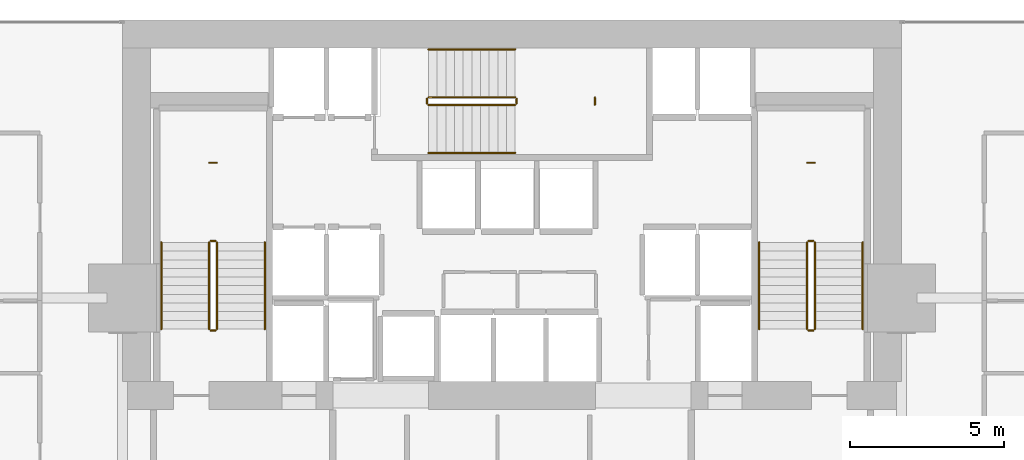
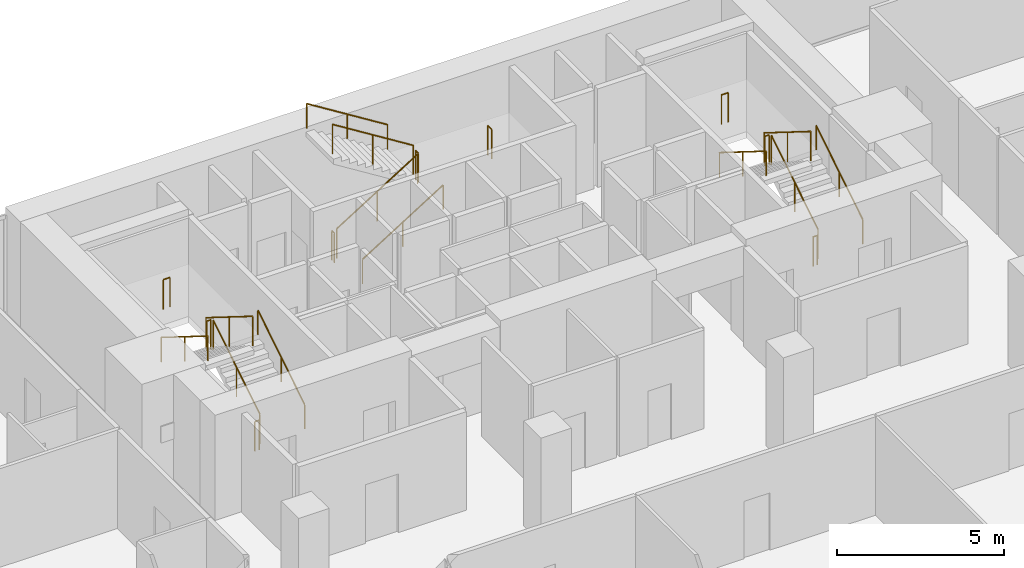
# One storey, part 40 of 40: 21 railings.
"""IFC4 building model written with IfcOpenShell, lengths in metres."""

from ifc_helpers import new_model, si_unit, direction, frame, origin, origin_2d, place, context, subcontext, project, spatial, circle, extrude, material, type_object, element, save


model = new_model("IFC4")

# Units and contexts
model_context = context("Model", 3, precision=1e-05, world=origin(), true_north=direction((0.0, 1.0)))
body_context = subcontext(model_context, "Body", "Model", "MODEL_VIEW")
ifc_project = project(units=[si_unit("LENGTHUNIT", "METRE"), si_unit("AREAUNIT", "SQUARE_METRE"), si_unit("VOLUMEUNIT", "CUBIC_METRE"), si_unit("PLANEANGLEUNIT", "RADIAN"), si_unit("MASSUNIT", "GRAM", prefix="KILO")], contexts=[model_context])

# Site, building, storey
site_placement = place(None, origin())
site = spatial("IfcSite", under=ifc_project, at=site_placement, CompositionType="ELEMENT")
building_placement = place(site_placement, origin())
building = spatial("IfcBuilding", under=site, at=building_placement, Name="Maruvema Waterfront Hotel and Observation Tower", CompositionType="ELEMENT")
storey_placement = place(building_placement, frame((0.0, 0.0, 96.25)))
storey = spatial("IfcBuildingStorey", under=building, at=storey_placement, Name="L23", CompositionType="ELEMENT", Elevation=96.25)

# Railings
ifc_material_1 = material(Name="Brushed stainless steel Grade 316", Category="steel")
railing_type_1 = type_object("IfcRailingType", Name="Ramp Continuous Wall Handrail 920 mm", PredefinedType="HANDRAIL", material=ifc_material_1)
railing_1_placement = place(storey_placement, frame((29.800048828125, 44.0, 0.175048828125)))
element("IfcRailing", 1, at=railing_1_placement, inside=storey, type_object=railing_type_1, Name="L23 ST-01 stair handrail 1", PredefinedType="HANDRAIL", context=body_context, shape_type="SweptSolid", body=[
    extrude(circle(Radius=0.02392578125, at=origin_2d()), frame((0.0, 0.0, 0.89599609375), z_axis=(0.0, 0.848002457836, 0.529992293815), x_axis=(-1.0, 0.0, 0.0)), (0.0, 0.0, 1.0), 3.302001953125),
    extrude(circle(Radius=0.02099609375, at=origin_2d()), origin(), (0.0, 0.0, 1.0), 0.871826171875),
    extrude(circle(Radius=0.02099609375, at=origin_2d()), frame((0.0, 1.39990234375, 0.875)), (0.0, 0.0, 1.0), 0.871826171875),
    extrude(circle(Radius=0.02099609375, at=origin_2d()), frame((0.0, 2.800048828125, 1.75)), (0.0, 0.0, 1.0), 0.871826171875),
])
railing_2_placement = place(storey_placement, frame((26.449951171875, 46.800048828125, 2.10009765625)))
element("IfcRailing", 2, at=railing_2_placement, inside=storey, type_object=railing_type_1, Name="L23 ST-01 stair handrail 2", PredefinedType="HANDRAIL", context=body_context, shape_type="SweptSolid", body=[
    extrude(circle(Radius=0.02392578125, at=origin_2d()), frame((0.0, 0.0, 0.89599609375), z_axis=(0.0, -0.848002457836, 0.529992293815), x_axis=(1.0, 0.0, 0.0)), (0.0, 0.0, 1.0), 3.302001953125),
    extrude(circle(Radius=0.02099609375, at=origin_2d()), origin(), (0.0, 0.0, 1.0), 0.871826171875),
    extrude(circle(Radius=0.02099609375, at=origin_2d()), frame((0.0, -1.39990234375, 0.875)), (0.0, 0.0, 1.0), 0.871826171875),
    extrude(circle(Radius=0.02099609375, at=origin_2d()), frame((0.0, -2.800048828125, 1.75)), (0.0, 0.0, 1.0), 0.871826171875),
])
railing_3_placement = place(storey_placement, frame((35.10009765625, 49.699951171875, 0.175048828125)))
element("IfcRailing", 3, at=railing_3_placement, inside=storey, type_object=railing_type_1, Name="L23 ST-02 stair handrail 1", PredefinedType="HANDRAIL", context=body_context, shape_type="SweptSolid", body=[
    extrude(circle(Radius=0.02392578125, at=origin_2d()), frame((0.0, 0.0, 0.89599609375), z_axis=(0.847981687118, 0.0, 0.530025526095), x_axis=(0.0, 1.0, 0.0)), (0.0, 0.0, 1.0), 3.3017578125),
    extrude(circle(Radius=0.02099609375, at=origin_2d()), origin(), (0.0, 0.0, 1.0), 0.871826171875),
    extrude(circle(Radius=0.02099609375, at=origin_2d()), frame((1.39990234375, 0.0, 0.875)), (0.0, 0.0, 1.0), 0.871826171875),
    extrude(circle(Radius=0.02099609375, at=origin_2d()), frame((2.7998046875, 0.0, 1.75)), (0.0, 0.0, 1.0), 0.871826171875),
])
railing_4_placement = place(storey_placement, frame((37.89990234375, 53.050048828125, 2.10009765625)))
element("IfcRailing", 4, at=railing_4_placement, inside=storey, type_object=railing_type_1, Name="L23 ST-02 stair handrail 2", PredefinedType="HANDRAIL", context=body_context, shape_type="SweptSolid", body=[
    extrude(circle(Radius=0.02392578125, at=origin_2d()), frame((0.0, 0.0, 0.89599609375), z_axis=(-0.847981687118, 0.0, 0.530025526095), x_axis=(0.0, -1.0, 0.0)), (0.0, 0.0, 1.0), 3.3017578125),
    extrude(circle(Radius=0.02099609375, at=origin_2d()), origin(), (0.0, 0.0, 1.0), 0.871826171875),
    extrude(circle(Radius=0.02099609375, at=origin_2d()), frame((-1.39990234375, 0.0, 0.875)), (0.0, 0.0, 1.0), 0.871826171875),
    extrude(circle(Radius=0.02099609375, at=origin_2d()), frame((-2.7998046875, 0.0, 1.75)), (0.0, 0.0, 1.0), 0.871826171875),
])
railing_5_placement = place(storey_placement, frame((49.14990234375, 44.0, 0.175048828125)))
element("IfcRailing", 5, at=railing_5_placement, inside=storey, type_object=railing_type_1, Name="L23 ST-03 stair handrail 1", PredefinedType="HANDRAIL", context=body_context, shape_type="SweptSolid", body=[
    extrude(circle(Radius=0.02392578125, at=origin_2d()), frame((0.0, 0.0, 0.89599609375), z_axis=(0.0, 0.848002457836, 0.529992293815), x_axis=(-1.0, 0.0, 0.0)), (0.0, 0.0, 1.0), 3.302001953125),
    extrude(circle(Radius=0.02099609375, at=origin_2d()), origin(), (0.0, 0.0, 1.0), 0.871826171875),
    extrude(circle(Radius=0.02099609375, at=origin_2d()), frame((0.0, 1.39990234375, 0.875)), (0.0, 0.0, 1.0), 0.871826171875),
    extrude(circle(Radius=0.02099609375, at=origin_2d()), frame((0.0, 2.800048828125, 1.75)), (0.0, 0.0, 1.0), 0.871826171875),
])
railing_6_placement = place(storey_placement, frame((45.800048828125, 46.800048828125, 2.10009765625)))
element("IfcRailing", 6, at=railing_6_placement, inside=storey, type_object=railing_type_1, Name="L23 ST-03 stair handrail 2", PredefinedType="HANDRAIL", context=body_context, shape_type="SweptSolid", body=[
    extrude(circle(Radius=0.02392578125, at=origin_2d()), frame((0.0, 0.0, 0.89599609375), z_axis=(0.0, -0.848002457836, 0.529992293815), x_axis=(1.0, 0.0, 0.0)), (0.0, 0.0, 1.0), 3.302001953125),
    extrude(circle(Radius=0.02099609375, at=origin_2d()), origin(), (0.0, 0.0, 1.0), 0.871826171875),
    extrude(circle(Radius=0.02099609375, at=origin_2d()), frame((0.0, -1.39990234375, 0.875)), (0.0, 0.0, 1.0), 0.871826171875),
    extrude(circle(Radius=0.02099609375, at=origin_2d()), frame((0.0, -2.800048828125, 1.75)), (0.0, 0.0, 1.0), 0.871826171875),
])
ifc_material_2 = material(Name="Brushed stainless steel Grade 316", Category="steel")
railing_type_2 = type_object("IfcRailingType", Name="Ramp and Terrace Guard Balustrade 1100 mm", PredefinedType="BALUSTRADE", material=ifc_material_2)
railing_7_placement = place(storey_placement, frame((28.25, 44.0, 0.175048828125)))
element("IfcRailing", 7, at=railing_7_placement, inside=storey, type_object=railing_type_2, Name="L23 ST-01 stair guard 1", PredefinedType="BALUSTRADE", context=body_context, shape_type="SweptSolid", body=[
    extrude(circle(Radius=0.02392578125, at=origin_2d()), frame((0.0, 0.0, 1.076171875), z_axis=(0.0, 0.848002457836, 0.529992293815), x_axis=(-1.0, 0.0, 0.0)), (0.0, 0.0, 1.0), 3.302001953125),
    extrude(circle(Radius=0.02099609375, at=origin_2d()), origin(), (0.0, 0.0, 1.0), 1.052001953125),
    extrude(circle(Radius=0.02099609375, at=origin_2d()), frame((0.0, 1.39990234375, 0.875)), (0.0, 0.0, 1.0), 1.052001953125),
    extrude(circle(Radius=0.02099609375, at=origin_2d()), frame((0.0, 2.800048828125, 1.75)), (0.0, 0.0, 1.0), 1.052001953125),
])
railing_8_placement = place(storey_placement, frame((28.199951171875, 46.85009765625, 1.925048828125)))
element("IfcRailing", 8, at=railing_8_placement, inside=storey, type_object=railing_type_2, Name="L23 ST-01 stair guard 2", PredefinedType="BALUSTRADE", context=body_context, shape_type="SweptSolid", body=[
    extrude(circle(Radius=0.02392578125, at=origin_2d()), frame((0.0, 0.0, 1.076171875), z_axis=(-1.0, 0.0, 0.0), x_axis=(0.0, -1.0, 0.0)), (0.0, 0.0, 1.0), 0.14990234375),
    extrude(circle(Radius=0.02099609375, at=origin_2d()), origin(), (0.0, 0.0, 1.0), 1.052001953125),
    extrude(circle(Radius=0.02099609375, at=origin_2d()), frame((-0.14990234375, 0.0, 0.0)), (0.0, 0.0, 1.0), 1.052001953125),
])
railing_9_placement = place(storey_placement, frame((28.0, 46.800048828125, 2.10009765625)))
element("IfcRailing", 9, at=railing_9_placement, inside=storey, type_object=railing_type_2, Name="L23 ST-01 stair guard 3", PredefinedType="BALUSTRADE", context=body_context, shape_type="SweptSolid", body=[
    extrude(circle(Radius=0.02392578125, at=origin_2d()), frame((0.0, 0.0, 1.076171875), z_axis=(0.0, -0.848002457836, 0.529992293815), x_axis=(1.0, 0.0, 0.0)), (0.0, 0.0, 1.0), 3.302001953125),
    extrude(circle(Radius=0.02099609375, at=origin_2d()), origin(), (0.0, 0.0, 1.0), 1.052001953125),
    extrude(circle(Radius=0.02099609375, at=origin_2d()), frame((0.0, -1.39990234375, 0.875)), (0.0, 0.0, 1.0), 1.052001953125),
    extrude(circle(Radius=0.02099609375, at=origin_2d()), frame((0.0, -2.800048828125, 1.75)), (0.0, 0.0, 1.0), 1.052001953125),
])
railing_10_placement = place(storey_placement, frame((28.199951171875, 43.949951171875, 0.0)))
element("IfcRailing", 10, at=railing_10_placement, inside=storey, type_object=railing_type_2, Name="L23 ST-01 stair guard 4", PredefinedType="BALUSTRADE", context=body_context, shape_type="SweptSolid", body=[
    extrude(circle(Radius=0.02392578125, at=origin_2d()), frame((0.0, 0.0, 1.076171875), z_axis=(-1.0, 0.0, 0.0), x_axis=(0.0, -1.0, 0.0)), (0.0, 0.0, 1.0), 0.14990234375),
    extrude(circle(Radius=0.02099609375, at=origin_2d()), origin(), (0.0, 0.0, 1.0), 1.052001953125),
    extrude(circle(Radius=0.02099609375, at=origin_2d()), frame((-0.14990234375, 0.0, 0.0)), (0.0, 0.0, 1.0), 1.052001953125),
])
railing_11_placement = place(storey_placement, frame((28.239990234375, 49.3798828125, 1.925048828125)))
element("IfcRailing", 11, at=railing_11_placement, inside=storey, type_object=railing_type_2, Name="L23 ST-01 Half-Landing Slot Guard", PredefinedType="BALUSTRADE", context=body_context, shape_type="SweptSolid", body=[
    extrude(circle(Radius=0.02392578125, at=origin_2d()), frame((0.0, 0.0, 1.076171875), z_axis=(-1.0, 0.0, 0.0), x_axis=(0.0, -1.0, 0.0)), (0.0, 0.0, 1.0), 0.22998046875),
    extrude(circle(Radius=0.02099609375, at=origin_2d()), origin(), (0.0, 0.0, 1.0), 1.052001953125),
    extrude(circle(Radius=0.02099609375, at=origin_2d()), frame((-0.22998046875, 0.0, 0.0)), (0.0, 0.0, 1.0), 1.052001953125),
])
railing_12_placement = place(storey_placement, frame((35.10009765625, 51.25, 0.175048828125)))
element("IfcRailing", 12, at=railing_12_placement, inside=storey, type_object=railing_type_2, Name="L23 ST-02 stair guard 1", PredefinedType="BALUSTRADE", context=body_context, shape_type="SweptSolid", body=[
    extrude(circle(Radius=0.02392578125, at=origin_2d()), frame((0.0, 0.0, 1.076171875), z_axis=(0.847981687118, 0.0, 0.530025526095), x_axis=(0.0, 1.0, 0.0)), (0.0, 0.0, 1.0), 3.3017578125),
    extrude(circle(Radius=0.02099609375, at=origin_2d()), origin(), (0.0, 0.0, 1.0), 1.052001953125),
    extrude(circle(Radius=0.02099609375, at=origin_2d()), frame((1.39990234375, 0.0, 0.875)), (0.0, 0.0, 1.0), 1.052001953125),
    extrude(circle(Radius=0.02099609375, at=origin_2d()), frame((2.7998046875, 0.0, 1.75)), (0.0, 0.0, 1.0), 1.052001953125),
])
railing_13_placement = place(storey_placement, frame((37.949951171875, 51.300048828125, 1.925048828125)))
element("IfcRailing", 13, at=railing_13_placement, inside=storey, type_object=railing_type_2, Name="L23 ST-02 stair guard 2", PredefinedType="BALUSTRADE", context=body_context, shape_type="SweptSolid", body=[
    extrude(circle(Radius=0.02392578125, at=origin_2d()), frame((0.0, 0.0, 1.076171875), z_axis=(0.0, 1.0, 0.0), x_axis=(-1.0, 0.0, 0.0)), (0.0, 0.0, 1.0), 0.14990234375),
    extrude(circle(Radius=0.02099609375, at=origin_2d()), origin(), (0.0, 0.0, 1.0), 1.052001953125),
    extrude(circle(Radius=0.02099609375, at=origin_2d()), frame((0.0, 0.14990234375, 0.0)), (0.0, 0.0, 1.0), 1.052001953125),
])
railing_14_placement = place(storey_placement, frame((37.89990234375, 51.5, 2.10009765625)))
element("IfcRailing", 14, at=railing_14_placement, inside=storey, type_object=railing_type_2, Name="L23 ST-02 stair guard 3", PredefinedType="BALUSTRADE", context=body_context, shape_type="SweptSolid", body=[
    extrude(circle(Radius=0.02392578125, at=origin_2d()), frame((0.0, 0.0, 1.076171875), z_axis=(-0.847981687118, 0.0, 0.530025526095), x_axis=(0.0, -1.0, 0.0)), (0.0, 0.0, 1.0), 3.3017578125),
    extrude(circle(Radius=0.02099609375, at=origin_2d()), origin(), (0.0, 0.0, 1.0), 1.052001953125),
    extrude(circle(Radius=0.02099609375, at=origin_2d()), frame((-1.39990234375, 0.0, 0.875)), (0.0, 0.0, 1.0), 1.052001953125),
    extrude(circle(Radius=0.02099609375, at=origin_2d()), frame((-2.7998046875, 0.0, 1.75)), (0.0, 0.0, 1.0), 1.052001953125),
])
railing_15_placement = place(storey_placement, frame((35.050048828125, 51.300048828125, 0.0)))
element("IfcRailing", 15, at=railing_15_placement, inside=storey, type_object=railing_type_2, Name="L23 ST-02 stair guard 4", PredefinedType="BALUSTRADE", context=body_context, shape_type="SweptSolid", body=[
    extrude(circle(Radius=0.02392578125, at=origin_2d()), frame((0.0, 0.0, 1.076171875), z_axis=(0.0, 1.0, 0.0), x_axis=(-1.0, 0.0, 0.0)), (0.0, 0.0, 1.0), 0.14990234375),
    extrude(circle(Radius=0.02099609375, at=origin_2d()), origin(), (0.0, 0.0, 1.0), 1.052001953125),
    extrude(circle(Radius=0.02099609375, at=origin_2d()), frame((0.0, 0.14990234375, 0.0)), (0.0, 0.0, 1.0), 1.052001953125),
])
railing_16_placement = place(storey_placement, frame((40.47998046875, 51.260009765625, 1.925048828125)))
element("IfcRailing", 16, at=railing_16_placement, inside=storey, type_object=railing_type_2, Name="L23 ST-02 Half-Landing Slot Guard", PredefinedType="BALUSTRADE", context=body_context, shape_type="SweptSolid", body=[
    extrude(circle(Radius=0.02392578125, at=origin_2d()), frame((0.0, 0.0, 1.076171875), z_axis=(0.0, 1.0, 0.0), x_axis=(-1.0, 0.0, 0.0)), (0.0, 0.0, 1.0), 0.22998046875),
    extrude(circle(Radius=0.02099609375, at=origin_2d()), origin(), (0.0, 0.0, 1.0), 1.052001953125),
    extrude(circle(Radius=0.02099609375, at=origin_2d()), frame((0.0, 0.22998046875, 0.0)), (0.0, 0.0, 1.0), 1.052001953125),
])
railing_17_placement = place(storey_placement, frame((47.60009765625, 44.0, 0.175048828125)))
element("IfcRailing", 17, at=railing_17_placement, inside=storey, type_object=railing_type_2, Name="L23 ST-03 stair guard 1", PredefinedType="BALUSTRADE", context=body_context, shape_type="SweptSolid", body=[
    extrude(circle(Radius=0.02392578125, at=origin_2d()), frame((0.0, 0.0, 1.076171875), z_axis=(0.0, 0.848002457836, 0.529992293815), x_axis=(-1.0, 0.0, 0.0)), (0.0, 0.0, 1.0), 3.302001953125),
    extrude(circle(Radius=0.02099609375, at=origin_2d()), origin(), (0.0, 0.0, 1.0), 1.052001953125),
    extrude(circle(Radius=0.02099609375, at=origin_2d()), frame((0.0, 1.39990234375, 0.875)), (0.0, 0.0, 1.0), 1.052001953125),
    extrude(circle(Radius=0.02099609375, at=origin_2d()), frame((0.0, 2.800048828125, 1.75)), (0.0, 0.0, 1.0), 1.052001953125),
])
railing_18_placement = place(storey_placement, frame((47.550048828125, 46.85009765625, 1.925048828125)))
element("IfcRailing", 18, at=railing_18_placement, inside=storey, type_object=railing_type_2, Name="L23 ST-03 stair guard 2", PredefinedType="BALUSTRADE", context=body_context, shape_type="SweptSolid", body=[
    extrude(circle(Radius=0.02392578125, at=origin_2d()), frame((0.0, 0.0, 1.076171875), z_axis=(-1.0, 0.0, 0.0), x_axis=(0.0, -1.0, 0.0)), (0.0, 0.0, 1.0), 0.150146484375),
    extrude(circle(Radius=0.02099609375, at=origin_2d()), origin(), (0.0, 0.0, 1.0), 1.052001953125),
    extrude(circle(Radius=0.02099609375, at=origin_2d()), frame((-0.150146484375, 0.0, 0.0)), (0.0, 0.0, 1.0), 1.052001953125),
])
railing_19_placement = place(storey_placement, frame((47.35009765625, 46.800048828125, 2.10009765625)))
element("IfcRailing", 19, at=railing_19_placement, inside=storey, type_object=railing_type_2, Name="L23 ST-03 stair guard 3", PredefinedType="BALUSTRADE", context=body_context, shape_type="SweptSolid", body=[
    extrude(circle(Radius=0.02392578125, at=origin_2d()), frame((0.0, 0.0, 1.076171875), z_axis=(0.0, -0.848002457836, 0.529992293815), x_axis=(1.0, 0.0, 0.0)), (0.0, 0.0, 1.0), 3.302001953125),
    extrude(circle(Radius=0.02099609375, at=origin_2d()), origin(), (0.0, 0.0, 1.0), 1.052001953125),
    extrude(circle(Radius=0.02099609375, at=origin_2d()), frame((0.0, -1.39990234375, 0.875)), (0.0, 0.0, 1.0), 1.052001953125),
    extrude(circle(Radius=0.02099609375, at=origin_2d()), frame((0.0, -2.800048828125, 1.75)), (0.0, 0.0, 1.0), 1.052001953125),
])
railing_20_placement = place(storey_placement, frame((47.550048828125, 43.949951171875, 0.0)))
element("IfcRailing", 20, at=railing_20_placement, inside=storey, type_object=railing_type_2, Name="L23 ST-03 stair guard 4", PredefinedType="BALUSTRADE", context=body_context, shape_type="SweptSolid", body=[
    extrude(circle(Radius=0.02392578125, at=origin_2d()), frame((0.0, 0.0, 1.076171875), z_axis=(-1.0, 0.0, 0.0), x_axis=(0.0, -1.0, 0.0)), (0.0, 0.0, 1.0), 0.150146484375),
    extrude(circle(Radius=0.02099609375, at=origin_2d()), origin(), (0.0, 0.0, 1.0), 1.052001953125),
    extrude(circle(Radius=0.02099609375, at=origin_2d()), frame((-0.150146484375, 0.0, 0.0)), (0.0, 0.0, 1.0), 1.052001953125),
])
railing_21_placement = place(storey_placement, frame((47.590087890625, 49.3798828125, 1.925048828125)))
element("IfcRailing", 21, at=railing_21_placement, inside=storey, type_object=railing_type_2, Name="L23 ST-03 Half-Landing Slot Guard", PredefinedType="BALUSTRADE", context=body_context, shape_type="SweptSolid", body=[
    extrude(circle(Radius=0.02392578125, at=origin_2d()), frame((0.0, 0.0, 1.076171875), z_axis=(-1.0, 0.0, 0.0), x_axis=(0.0, -1.0, 0.0)), (0.0, 0.0, 1.0), 0.22998046875),
    extrude(circle(Radius=0.02099609375, at=origin_2d()), origin(), (0.0, 0.0, 1.0), 1.052001953125),
    extrude(circle(Radius=0.02099609375, at=origin_2d()), frame((-0.22998046875, 0.0, 0.0)), (0.0, 0.0, 1.0), 1.052001953125),
])

save(model, "model.ifc")
